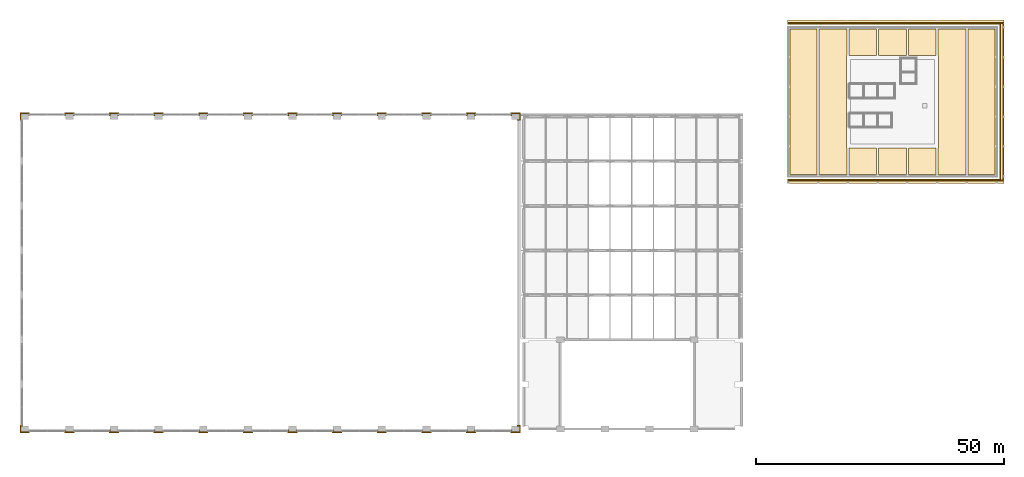
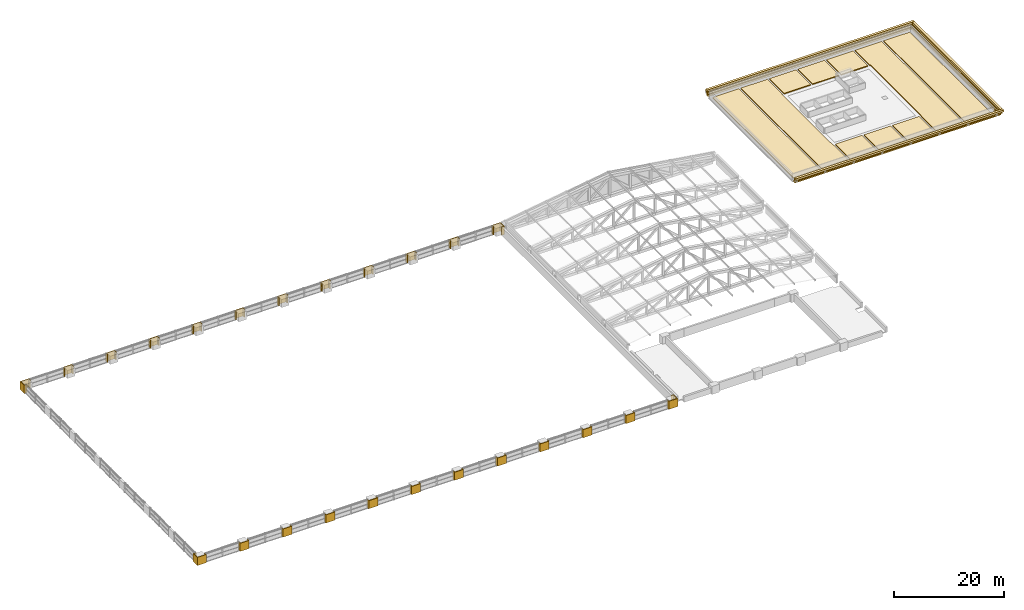
# One storey, part 31 of 32: 43 coverings.
"""IFC4 building model written with IfcOpenShell, lengths in metres."""

from ifc_helpers import new_model, si_unit, direction, frame, origin, place, context, subcontext, project, spatial, polyline, outline, extrude, material, layer, layer_set, type_object, element, save


model = new_model("IFC4")

# Units and contexts
model_context = context("Model", 3, precision=1e-05, world=origin(), true_north=direction((0.0, 1.0)))
body_context = subcontext(model_context, "Body", "Model", "MODEL_VIEW")
ifc_project = project(units=[si_unit("LENGTHUNIT", "METRE"), si_unit("AREAUNIT", "SQUARE_METRE"), si_unit("VOLUMEUNIT", "CUBIC_METRE"), si_unit("PLANEANGLEUNIT", "RADIAN"), si_unit("MASSUNIT", "GRAM", prefix="KILO")], contexts=[model_context])

# Site, building, storey
site_placement = place(None, origin())
site = spatial("IfcSite", under=ifc_project, at=site_placement, CompositionType="ELEMENT")
building_placement = place(site_placement, origin())
building = spatial("IfcBuilding", under=site, at=building_placement, Name="Aravalli Gate Trade Fair Centre", CompositionType="ELEMENT")
storey_placement = place(building_placement, frame((0.0, 0.0, 23.39990234375)))
storey = spatial("IfcBuildingStorey", under=building, at=storey_placement, Name="ROOF LEVEL 1", CompositionType="ELEMENT", Elevation=23.39990234375)

# Coverings
ifc_material_1 = material(Name="Terracotta", Category="masonry")
ifc_layer_1 = layer(ifc_material_1, 0.14990234375)
ifc_layer_set_1 = layer_set([ifc_layer_1], Name="Terracotta")
covering_type_1 = type_object("IfcCoveringType", Name="Terracotta pier casing", PredefinedType="CLADDING", material=ifc_layer_set_1)
covering_1_placement = place(storey_placement, origin())
element("IfcCovering", 1, at=covering_1_placement, inside=storey, type_object=covering_type_1, Name="Clad pier A1 ROOF LEVEL 1", PredefinedType="CLADDING", context=body_context, shape_type="SweptSolid", body=[
    extrude(outline(polyline([(5.050048828125, 46.75), (5.64990234375, 46.75), (5.64990234375, 46.60009765625), (5.199951171875, 46.60009765625), (5.199951171875, 45.39990234375), (6.800048828125, 45.39990234375), (6.800048828125, 45.85009765625), (6.949951171875, 45.85009765625), (6.949951171875, 45.25), (5.050048828125, 45.25), (5.050048828125, 46.75)])), origin(), (0.0, 0.0, 1.0), 1.800048828125),
])
covering_2_placement = place(storey_placement, origin())
element("IfcCovering", 2, at=covering_2_placement, inside=storey, type_object=covering_type_1, Name="Clad pier H1 ROOF LEVEL 1", PredefinedType="CLADDING", context=body_context, shape_type="SweptSolid", body=[
    extrude(outline(polyline([(5.050048828125, 109.75), (6.949951171875, 109.75), (6.949951171875, 109.14990234375), (6.800048828125, 109.14990234375), (6.800048828125, 109.60009765625), (5.199951171875, 109.60009765625), (5.199951171875, 108.39990234375), (5.64990234375, 108.39990234375), (5.64990234375, 108.25), (5.050048828125, 108.25), (5.050048828125, 109.75)])), origin(), (0.0, 0.0, 1.0), 1.800048828125),
])
covering_3_placement = place(storey_placement, origin())
element("IfcCovering", 3, at=covering_3_placement, inside=storey, type_object=covering_type_1, Name="Clad pier A2 ROOF LEVEL 1", PredefinedType="CLADDING", context=body_context, shape_type="SweptSolid", body=[
    extrude(outline(polyline([(14.050048828125, 45.85009765625), (14.199951171875, 45.85009765625), (14.199951171875, 45.39990234375), (15.800048828125, 45.39990234375), (15.800048828125, 45.85009765625), (15.949951171875, 45.85009765625), (15.949951171875, 45.25), (14.050048828125, 45.25), (14.050048828125, 45.85009765625)])), origin(), (0.0, 0.0, 1.0), 1.800048828125),
])
covering_4_placement = place(storey_placement, origin())
element("IfcCovering", 4, at=covering_4_placement, inside=storey, type_object=covering_type_1, Name="Clad pier H2 ROOF LEVEL 1", PredefinedType="CLADDING", context=body_context, shape_type="SweptSolid", body=[
    extrude(outline(polyline([(14.050048828125, 109.75), (15.949951171875, 109.75), (15.949951171875, 109.14990234375), (15.800048828125, 109.14990234375), (15.800048828125, 109.60009765625), (14.199951171875, 109.60009765625), (14.199951171875, 109.14990234375), (14.050048828125, 109.14990234375), (14.050048828125, 109.75)])), origin(), (0.0, 0.0, 1.0), 1.800048828125),
])
covering_5_placement = place(storey_placement, origin())
element("IfcCovering", 5, at=covering_5_placement, inside=storey, type_object=covering_type_1, Name="Clad pier A3 ROOF LEVEL 1", PredefinedType="CLADDING", context=body_context, shape_type="SweptSolid", body=[
    extrude(outline(polyline([(23.050048828125, 45.85009765625), (23.199951171875, 45.85009765625), (23.199951171875, 45.39990234375), (24.800048828125, 45.39990234375), (24.800048828125, 45.85009765625), (24.949951171875, 45.85009765625), (24.949951171875, 45.25), (23.050048828125, 45.25), (23.050048828125, 45.85009765625)])), origin(), (0.0, 0.0, 1.0), 1.800048828125),
])
covering_6_placement = place(storey_placement, origin())
element("IfcCovering", 6, at=covering_6_placement, inside=storey, type_object=covering_type_1, Name="Clad pier H3 ROOF LEVEL 1", PredefinedType="CLADDING", context=body_context, shape_type="SweptSolid", body=[
    extrude(outline(polyline([(23.050048828125, 109.75), (24.949951171875, 109.75), (24.949951171875, 109.14990234375), (24.800048828125, 109.14990234375), (24.800048828125, 109.60009765625), (23.199951171875, 109.60009765625), (23.199951171875, 109.14990234375), (23.050048828125, 109.14990234375), (23.050048828125, 109.75)])), origin(), (0.0, 0.0, 1.0), 1.800048828125),
])
covering_7_placement = place(storey_placement, origin())
element("IfcCovering", 7, at=covering_7_placement, inside=storey, type_object=covering_type_1, Name="Clad pier A4 ROOF LEVEL 1", PredefinedType="CLADDING", context=body_context, shape_type="SweptSolid", body=[
    extrude(outline(polyline([(32.050048828125, 45.85009765625), (32.199951171875, 45.85009765625), (32.199951171875, 45.39990234375), (33.800048828125, 45.39990234375), (33.800048828125, 45.85009765625), (33.949951171875, 45.85009765625), (33.949951171875, 45.25), (32.050048828125, 45.25), (32.050048828125, 45.85009765625)])), origin(), (0.0, 0.0, 1.0), 1.800048828125),
])
covering_8_placement = place(storey_placement, origin())
element("IfcCovering", 8, at=covering_8_placement, inside=storey, type_object=covering_type_1, Name="Clad pier H4 ROOF LEVEL 1", PredefinedType="CLADDING", context=body_context, shape_type="SweptSolid", body=[
    extrude(outline(polyline([(32.050048828125, 109.75), (33.949951171875, 109.75), (33.949951171875, 109.14990234375), (33.800048828125, 109.14990234375), (33.800048828125, 109.60009765625), (32.199951171875, 109.60009765625), (32.199951171875, 109.14990234375), (32.050048828125, 109.14990234375), (32.050048828125, 109.75)])), origin(), (0.0, 0.0, 1.0), 1.800048828125),
])
covering_9_placement = place(storey_placement, origin())
element("IfcCovering", 9, at=covering_9_placement, inside=storey, type_object=covering_type_1, Name="Clad pier A5 ROOF LEVEL 1", PredefinedType="CLADDING", context=body_context, shape_type="SweptSolid", body=[
    extrude(outline(polyline([(41.050048828125, 45.85009765625), (41.199951171875, 45.85009765625), (41.199951171875, 45.39990234375), (42.800048828125, 45.39990234375), (42.800048828125, 45.85009765625), (42.949951171875, 45.85009765625), (42.949951171875, 45.25), (41.050048828125, 45.25), (41.050048828125, 45.85009765625)])), origin(), (0.0, 0.0, 1.0), 1.800048828125),
])
covering_10_placement = place(storey_placement, origin())
element("IfcCovering", 10, at=covering_10_placement, inside=storey, type_object=covering_type_1, Name="Clad pier H5 ROOF LEVEL 1", PredefinedType="CLADDING", context=body_context, shape_type="SweptSolid", body=[
    extrude(outline(polyline([(41.050048828125, 109.75), (42.949951171875, 109.75), (42.949951171875, 109.14990234375), (42.800048828125, 109.14990234375), (42.800048828125, 109.60009765625), (41.199951171875, 109.60009765625), (41.199951171875, 109.14990234375), (41.050048828125, 109.14990234375), (41.050048828125, 109.75)])), origin(), (0.0, 0.0, 1.0), 1.800048828125),
])
covering_11_placement = place(storey_placement, origin())
element("IfcCovering", 11, at=covering_11_placement, inside=storey, type_object=covering_type_1, Name="Clad pier A6 ROOF LEVEL 1", PredefinedType="CLADDING", context=body_context, shape_type="SweptSolid", body=[
    extrude(outline(polyline([(50.050048828125, 45.85009765625), (50.199951171875, 45.85009765625), (50.199951171875, 45.39990234375), (51.800048828125, 45.39990234375), (51.800048828125, 45.85009765625), (51.949951171875, 45.85009765625), (51.949951171875, 45.25), (50.050048828125, 45.25), (50.050048828125, 45.85009765625)])), origin(), (0.0, 0.0, 1.0), 1.800048828125),
])
covering_12_placement = place(storey_placement, origin())
element("IfcCovering", 12, at=covering_12_placement, inside=storey, type_object=covering_type_1, Name="Clad pier H6 ROOF LEVEL 1", PredefinedType="CLADDING", context=body_context, shape_type="SweptSolid", body=[
    extrude(outline(polyline([(50.050048828125, 109.75), (51.949951171875, 109.75), (51.949951171875, 109.14990234375), (51.800048828125, 109.14990234375), (51.800048828125, 109.60009765625), (50.199951171875, 109.60009765625), (50.199951171875, 109.14990234375), (50.050048828125, 109.14990234375), (50.050048828125, 109.75)])), origin(), (0.0, 0.0, 1.0), 1.800048828125),
])
covering_13_placement = place(storey_placement, origin())
element("IfcCovering", 13, at=covering_13_placement, inside=storey, type_object=covering_type_1, Name="Clad pier A7 ROOF LEVEL 1", PredefinedType="CLADDING", context=body_context, shape_type="SweptSolid", body=[
    extrude(outline(polyline([(59.050048828125, 45.85009765625), (59.199951171875, 45.85009765625), (59.199951171875, 45.39990234375), (60.800048828125, 45.39990234375), (60.800048828125, 45.85009765625), (60.949951171875, 45.85009765625), (60.949951171875, 45.25), (59.050048828125, 45.25), (59.050048828125, 45.85009765625)])), origin(), (0.0, 0.0, 1.0), 1.800048828125),
])
covering_14_placement = place(storey_placement, origin())
element("IfcCovering", 14, at=covering_14_placement, inside=storey, type_object=covering_type_1, Name="Clad pier H7 ROOF LEVEL 1", PredefinedType="CLADDING", context=body_context, shape_type="SweptSolid", body=[
    extrude(outline(polyline([(59.050048828125, 109.75), (60.949951171875, 109.75), (60.949951171875, 109.14990234375), (60.800048828125, 109.14990234375), (60.800048828125, 109.60009765625), (59.199951171875, 109.60009765625), (59.199951171875, 109.14990234375), (59.050048828125, 109.14990234375), (59.050048828125, 109.75)])), origin(), (0.0, 0.0, 1.0), 1.800048828125),
])
covering_15_placement = place(storey_placement, origin())
element("IfcCovering", 15, at=covering_15_placement, inside=storey, type_object=covering_type_1, Name="Clad pier A8 ROOF LEVEL 1", PredefinedType="CLADDING", context=body_context, shape_type="SweptSolid", body=[
    extrude(outline(polyline([(68.050048828125, 45.85009765625), (68.199951171875, 45.85009765625), (68.199951171875, 45.39990234375), (69.800048828125, 45.39990234375), (69.800048828125, 45.85009765625), (69.949951171875, 45.85009765625), (69.949951171875, 45.25), (68.050048828125, 45.25), (68.050048828125, 45.85009765625)])), origin(), (0.0, 0.0, 1.0), 1.800048828125),
])
covering_16_placement = place(storey_placement, origin())
element("IfcCovering", 16, at=covering_16_placement, inside=storey, type_object=covering_type_1, Name="Clad pier H8 ROOF LEVEL 1", PredefinedType="CLADDING", context=body_context, shape_type="SweptSolid", body=[
    extrude(outline(polyline([(68.050048828125, 109.75), (69.949951171875, 109.75), (69.949951171875, 109.14990234375), (69.800048828125, 109.14990234375), (69.800048828125, 109.60009765625), (68.199951171875, 109.60009765625), (68.199951171875, 109.14990234375), (68.050048828125, 109.14990234375), (68.050048828125, 109.75)])), origin(), (0.0, 0.0, 1.0), 1.800048828125),
])
covering_17_placement = place(storey_placement, origin())
element("IfcCovering", 17, at=covering_17_placement, inside=storey, type_object=covering_type_1, Name="Clad pier A9 ROOF LEVEL 1", PredefinedType="CLADDING", context=body_context, shape_type="SweptSolid", body=[
    extrude(outline(polyline([(77.050048828125, 45.85009765625), (77.199951171875, 45.85009765625), (77.199951171875, 45.39990234375), (78.800048828125, 45.39990234375), (78.800048828125, 45.85009765625), (78.949951171875, 45.85009765625), (78.949951171875, 45.25), (77.050048828125, 45.25), (77.050048828125, 45.85009765625)])), origin(), (0.0, 0.0, 1.0), 1.800048828125),
])
covering_18_placement = place(storey_placement, origin())
element("IfcCovering", 18, at=covering_18_placement, inside=storey, type_object=covering_type_1, Name="Clad pier H9 ROOF LEVEL 1", PredefinedType="CLADDING", context=body_context, shape_type="SweptSolid", body=[
    extrude(outline(polyline([(77.050048828125, 109.75), (78.949951171875, 109.75), (78.949951171875, 109.14990234375), (78.800048828125, 109.14990234375), (78.800048828125, 109.60009765625), (77.199951171875, 109.60009765625), (77.199951171875, 109.14990234375), (77.050048828125, 109.14990234375), (77.050048828125, 109.75)])), origin(), (0.0, 0.0, 1.0), 1.800048828125),
])
covering_19_placement = place(storey_placement, origin())
element("IfcCovering", 19, at=covering_19_placement, inside=storey, type_object=covering_type_1, Name="Clad pier A10 ROOF LEVEL 1", PredefinedType="CLADDING", context=body_context, shape_type="SweptSolid", body=[
    extrude(outline(polyline([(86.050048828125, 45.85009765625), (86.199951171875, 45.85009765625), (86.199951171875, 45.39990234375), (87.800048828125, 45.39990234375), (87.800048828125, 45.85009765625), (87.949951171875, 45.85009765625), (87.949951171875, 45.25), (86.050048828125, 45.25), (86.050048828125, 45.85009765625)])), origin(), (0.0, 0.0, 1.0), 1.800048828125),
])
covering_20_placement = place(storey_placement, origin())
element("IfcCovering", 20, at=covering_20_placement, inside=storey, type_object=covering_type_1, Name="Clad pier H10 ROOF LEVEL 1", PredefinedType="CLADDING", context=body_context, shape_type="SweptSolid", body=[
    extrude(outline(polyline([(86.050048828125, 109.75), (87.949951171875, 109.75), (87.949951171875, 109.14990234375), (87.800048828125, 109.14990234375), (87.800048828125, 109.60009765625), (86.199951171875, 109.60009765625), (86.199951171875, 109.14990234375), (86.050048828125, 109.14990234375), (86.050048828125, 109.75)])), origin(), (0.0, 0.0, 1.0), 1.800048828125),
])
covering_21_placement = place(storey_placement, origin())
element("IfcCovering", 21, at=covering_21_placement, inside=storey, type_object=covering_type_1, Name="Clad pier A11 ROOF LEVEL 1", PredefinedType="CLADDING", context=body_context, shape_type="SweptSolid", body=[
    extrude(outline(polyline([(95.050048828125, 45.85009765625), (95.199951171875, 45.85009765625), (95.199951171875, 45.39990234375), (96.800048828125, 45.39990234375), (96.800048828125, 45.85009765625), (96.949951171875, 45.85009765625), (96.949951171875, 45.25), (95.050048828125, 45.25), (95.050048828125, 45.85009765625)])), origin(), (0.0, 0.0, 1.0), 1.800048828125),
])
covering_22_placement = place(storey_placement, origin())
element("IfcCovering", 22, at=covering_22_placement, inside=storey, type_object=covering_type_1, Name="Clad pier H11 ROOF LEVEL 1", PredefinedType="CLADDING", context=body_context, shape_type="SweptSolid", body=[
    extrude(outline(polyline([(95.050048828125, 109.75), (96.949951171875, 109.75), (96.949951171875, 109.14990234375), (96.800048828125, 109.14990234375), (96.800048828125, 109.60009765625), (95.199951171875, 109.60009765625), (95.199951171875, 109.14990234375), (95.050048828125, 109.14990234375), (95.050048828125, 109.75)])), origin(), (0.0, 0.0, 1.0), 1.800048828125),
])
covering_23_placement = place(storey_placement, origin())
element("IfcCovering", 23, at=covering_23_placement, inside=storey, type_object=covering_type_1, Name="Clad pier A12 ROOF LEVEL 1", PredefinedType="CLADDING", context=body_context, shape_type="SweptSolid", body=[
    extrude(outline(polyline([(104.050048828125, 45.85009765625), (104.199951171875, 45.85009765625), (104.199951171875, 45.39990234375), (105.800048828125, 45.39990234375), (105.800048828125, 46.60009765625), (105.35009765625, 46.60009765625), (105.35009765625, 46.75), (105.949951171875, 46.75), (105.949951171875, 45.25), (104.050048828125, 45.25), (104.050048828125, 45.85009765625)])), origin(), (0.0, 0.0, 1.0), 1.800048828125),
])
covering_24_placement = place(storey_placement, origin())
element("IfcCovering", 24, at=covering_24_placement, inside=storey, type_object=covering_type_1, Name="Clad pier H12 ROOF LEVEL 1", PredefinedType="CLADDING", context=body_context, shape_type="SweptSolid", body=[
    extrude(outline(polyline([(104.050048828125, 109.75), (105.949951171875, 109.75), (105.949951171875, 108.25), (105.35009765625, 108.25), (105.35009765625, 108.39990234375), (105.800048828125, 108.39990234375), (105.800048828125, 109.60009765625), (104.199951171875, 109.60009765625), (104.199951171875, 109.14990234375), (104.050048828125, 109.14990234375), (104.050048828125, 109.75)])), origin(), (0.0, 0.0, 1.0), 1.800048828125),
])
ifc_material_2 = material(Name="Enamelled terracotta", Category="masonry")
ifc_layer_2 = layer(ifc_material_2, 0.39990234375)
ifc_layer_set_2 = layer_set([ifc_layer_2], Name="Enamelled terracotta")
covering_type_2 = type_object("IfcCoveringType", Name="Wing cornice course B", PredefinedType="MOLDING", material=ifc_layer_set_2)
covering_25_placement = place(storey_placement, origin())
element("IfcCovering", 25, at=covering_25_placement, inside=storey, type_object=covering_type_2, Name="Cornice course B S", PredefinedType="MOLDING", context=body_context, shape_type="SweptSolid", body=[
    extrude(outline(polyline([(159.800048828125, 95.925048828125), (203.074951171875, 95.925048828125), (203.074951171875, 96.425048828125), (159.800048828125, 96.425048828125), (159.800048828125, 95.925048828125)])), origin(), (0.0, 0.0, 1.0), 0.400146484375),
])
covering_26_placement = place(storey_placement, origin())
element("IfcCovering", 26, at=covering_26_placement, inside=storey, type_object=covering_type_2, Name="Cornice course B N", PredefinedType="MOLDING", context=body_context, shape_type="SweptSolid", body=[
    extrude(outline(polyline([(159.800048828125, 127.574951171875), (203.074951171875, 127.574951171875), (203.074951171875, 128.074951171875), (159.800048828125, 128.074951171875), (159.800048828125, 127.574951171875)])), origin(), (0.0, 0.0, 1.0), 0.400146484375),
])
covering_27_placement = place(storey_placement, origin())
element("IfcCovering", 27, at=covering_27_placement, inside=storey, type_object=covering_type_2, Name="Cornice course B E", PredefinedType="MOLDING", context=body_context, shape_type="SweptSolid", body=[
    extrude(outline(polyline([(202.574951171875, 96.425048828125), (203.074951171875, 96.425048828125), (203.074951171875, 127.574951171875), (202.574951171875, 127.574951171875), (202.574951171875, 96.425048828125)])), origin(), (0.0, 0.0, 1.0), 0.400146484375),
])
ifc_layer_3 = layer(ifc_material_2, 0.39990234375)
ifc_layer_set_3 = layer_set([ifc_layer_3], Name="Enamelled terracotta")
covering_type_3 = type_object("IfcCoveringType", Name="Wing cornice course C", PredefinedType="MOLDING", material=ifc_layer_set_3)
covering_28_placement = place(storey_placement, frame((0.0, 0.0, 0.400146484375)))
element("IfcCovering", 28, at=covering_28_placement, inside=storey, type_object=covering_type_3, Name="Cornice course C S", PredefinedType="MOLDING", context=body_context, shape_type="SweptSolid", body=[
    extrude(outline(polyline([(159.800048828125, 95.72509765625), (203.27490234375, 95.72509765625), (203.27490234375, 96.22509765625), (159.800048828125, 96.22509765625), (159.800048828125, 95.72509765625)])), origin(), (0.0, 0.0, 1.0), 0.39990234375),
])
covering_29_placement = place(storey_placement, frame((0.0, 0.0, 0.400146484375)))
element("IfcCovering", 29, at=covering_29_placement, inside=storey, type_object=covering_type_3, Name="Cornice course C N", PredefinedType="MOLDING", context=body_context, shape_type="SweptSolid", body=[
    extrude(outline(polyline([(159.800048828125, 127.77490234375), (203.27490234375, 127.77490234375), (203.27490234375, 128.27490234375), (159.800048828125, 128.27490234375), (159.800048828125, 127.77490234375)])), origin(), (0.0, 0.0, 1.0), 0.39990234375),
])
covering_30_placement = place(storey_placement, frame((0.0, 0.0, 0.400146484375)))
element("IfcCovering", 30, at=covering_30_placement, inside=storey, type_object=covering_type_3, Name="Cornice course C E", PredefinedType="MOLDING", context=body_context, shape_type="SweptSolid", body=[
    extrude(outline(polyline([(202.77490234375, 96.22509765625), (203.27490234375, 96.22509765625), (203.27490234375, 127.77490234375), (202.77490234375, 127.77490234375), (202.77490234375, 96.22509765625)])), origin(), (0.0, 0.0, 1.0), 0.39990234375),
])
ifc_layer_4 = layer(ifc_material_2, 0.39990234375)
ifc_layer_set_4 = layer_set([ifc_layer_4], Name="Enamelled terracotta")
covering_type_4 = type_object("IfcCoveringType", Name="Wing cornice course D", PredefinedType="MOLDING", material=ifc_layer_set_4)
covering_31_placement = place(storey_placement, frame((0.0, 0.0, 0.800048828125)))
element("IfcCovering", 31, at=covering_31_placement, inside=storey, type_object=covering_type_4, Name="Cornice course D S", PredefinedType="MOLDING", context=body_context, shape_type="SweptSolid", body=[
    extrude(outline(polyline([(159.800048828125, 95.52490234375), (203.47509765625, 95.52490234375), (203.47509765625, 96.02490234375), (159.800048828125, 96.02490234375), (159.800048828125, 95.52490234375)])), origin(), (0.0, 0.0, 1.0), 0.400146484375),
])
covering_32_placement = place(storey_placement, frame((0.0, 0.0, 0.800048828125)))
element("IfcCovering", 32, at=covering_32_placement, inside=storey, type_object=covering_type_4, Name="Cornice course D N", PredefinedType="MOLDING", context=body_context, shape_type="SweptSolid", body=[
    extrude(outline(polyline([(159.800048828125, 127.97509765625), (203.47509765625, 127.97509765625), (203.47509765625, 128.47509765625), (159.800048828125, 128.47509765625), (159.800048828125, 127.97509765625)])), origin(), (0.0, 0.0, 1.0), 0.400146484375),
])
covering_33_placement = place(storey_placement, frame((0.0, 0.0, 0.800048828125)))
element("IfcCovering", 33, at=covering_33_placement, inside=storey, type_object=covering_type_4, Name="Cornice course D E", PredefinedType="MOLDING", context=body_context, shape_type="SweptSolid", body=[
    extrude(outline(polyline([(202.97509765625, 96.02490234375), (203.47509765625, 96.02490234375), (203.47509765625, 127.97509765625), (202.97509765625, 127.97509765625), (202.97509765625, 96.02490234375)])), origin(), (0.0, 0.0, 1.0), 0.400146484375),
])
ifc_material_3 = material(Name="Bituminous waterproofing membrane")
ifc_layer_5 = layer(ifc_material_3, 0.010009765625, Name="Waterproofing membrane")
ifc_material_4 = material(Name="Polyethylene drainage board")
ifc_layer_6 = layer(ifc_material_4, 0.050048828125, Name="Drainage layer")
ifc_material_5 = material(Name="Geotextile fleece")
ifc_layer_7 = layer(ifc_material_5, 0.0048828125, Name="Filter layer")
ifc_material_6 = material(Name="Growing medium")
ifc_layer_8 = layer(ifc_material_6, 0.14990234375, Name="Growing medium")
ifc_layer_set_5 = layer_set([ifc_layer_5, ifc_layer_6, ifc_layer_7, ifc_layer_8], Name="Wing green roof build-up 215")
covering_type_5 = type_object("IfcCoveringType", Name="Wing green roof build-up 215", PredefinedType="ROOFING", material=ifc_layer_set_5)
covering_34_placement = place(storey_placement, origin())
element("IfcCovering", 34, at=covering_34_placement, inside=storey, type_object=covering_type_5, Name="Planted roof 1", PredefinedType="ROOFING", context=body_context, shape_type="SweptSolid", body=[
    extrude(outline(polyline([(160.294921875, 126.705078125), (165.800048828125, 126.705078125), (165.800048828125, 97.294921875), (160.294921875, 97.294921875), (160.294921875, 126.705078125)])), origin(), (0.0, 0.0, 1.0), 0.215087890625),
])
covering_35_placement = place(storey_placement, origin())
element("IfcCovering", 35, at=covering_35_placement, inside=storey, type_object=covering_type_5, Name="Planted roof 2", PredefinedType="ROOFING", context=body_context, shape_type="SweptSolid", body=[
    extrude(outline(polyline([(171.800048828125, 126.705078125), (171.800048828125, 121.300048828125), (171.699951171875, 121.300048828125), (171.699951171875, 102.699951171875), (171.800048828125, 102.699951171875), (171.800048828125, 97.294921875), (166.199951171875, 97.294921875), (166.199951171875, 126.705078125), (171.800048828125, 126.705078125)])), origin(), (0.0, 0.0, 1.0), 0.215087890625),
])
covering_36_placement = place(storey_placement, origin())
element("IfcCovering", 36, at=covering_36_placement, inside=storey, type_object=covering_type_5, Name="Planted roof 3", PredefinedType="ROOFING", context=body_context, shape_type="SweptSolid", body=[
    extrude(outline(polyline([(177.800048828125, 126.705078125), (177.800048828125, 121.300048828125), (172.199951171875, 121.300048828125), (172.199951171875, 126.705078125), (177.800048828125, 126.705078125)])), origin(), (0.0, 0.0, 1.0), 0.215087890625),
])
covering_37_placement = place(storey_placement, origin())
element("IfcCovering", 37, at=covering_37_placement, inside=storey, type_object=covering_type_5, Name="Planted roof 4", PredefinedType="ROOFING", context=body_context, shape_type="SweptSolid", body=[
    extrude(outline(polyline([(172.199951171875, 97.294921875), (172.199951171875, 102.699951171875), (177.800048828125, 102.699951171875), (177.800048828125, 97.294921875), (172.199951171875, 97.294921875)])), origin(), (0.0, 0.0, 1.0), 0.215087890625),
])
covering_38_placement = place(storey_placement, origin())
element("IfcCovering", 38, at=covering_38_placement, inside=storey, type_object=covering_type_5, Name="Planted roof 5", PredefinedType="ROOFING", context=body_context, shape_type="SweptSolid", body=[
    extrude(outline(polyline([(183.800048828125, 126.705078125), (183.800048828125, 121.300048828125), (178.199951171875, 121.300048828125), (178.199951171875, 126.705078125), (183.800048828125, 126.705078125)])), origin(), (0.0, 0.0, 1.0), 0.215087890625),
])
covering_39_placement = place(storey_placement, origin())
element("IfcCovering", 39, at=covering_39_placement, inside=storey, type_object=covering_type_5, Name="Planted roof 6", PredefinedType="ROOFING", context=body_context, shape_type="SweptSolid", body=[
    extrude(outline(polyline([(178.199951171875, 97.294921875), (178.199951171875, 102.699951171875), (183.800048828125, 102.699951171875), (183.800048828125, 97.294921875), (178.199951171875, 97.294921875)])), origin(), (0.0, 0.0, 1.0), 0.215087890625),
])
covering_40_placement = place(storey_placement, origin())
element("IfcCovering", 40, at=covering_40_placement, inside=storey, type_object=covering_type_5, Name="Planted roof 7", PredefinedType="ROOFING", context=body_context, shape_type="SweptSolid", body=[
    extrude(outline(polyline([(189.800048828125, 126.705078125), (189.800048828125, 121.300048828125), (184.199951171875, 121.300048828125), (184.199951171875, 126.705078125), (189.800048828125, 126.705078125)])), origin(), (0.0, 0.0, 1.0), 0.215087890625),
])
covering_41_placement = place(storey_placement, origin())
element("IfcCovering", 41, at=covering_41_placement, inside=storey, type_object=covering_type_5, Name="Planted roof 8", PredefinedType="ROOFING", context=body_context, shape_type="SweptSolid", body=[
    extrude(outline(polyline([(184.199951171875, 97.294921875), (184.199951171875, 102.699951171875), (189.800048828125, 102.699951171875), (189.800048828125, 97.294921875), (184.199951171875, 97.294921875)])), origin(), (0.0, 0.0, 1.0), 0.215087890625),
])
covering_42_placement = place(storey_placement, origin())
element("IfcCovering", 42, at=covering_42_placement, inside=storey, type_object=covering_type_5, Name="Planted roof 9", PredefinedType="ROOFING", context=body_context, shape_type="SweptSolid", body=[
    extrude(outline(polyline([(195.800048828125, 126.705078125), (195.800048828125, 97.294921875), (190.199951171875, 97.294921875), (190.199951171875, 102.699951171875), (190.300048828125, 102.699951171875), (190.300048828125, 121.300048828125), (190.199951171875, 121.300048828125), (190.199951171875, 126.705078125), (195.800048828125, 126.705078125)])), origin(), (0.0, 0.0, 1.0), 0.215087890625),
])
covering_43_placement = place(storey_placement, origin())
element("IfcCovering", 43, at=covering_43_placement, inside=storey, type_object=covering_type_5, Name="Planted roof 10", PredefinedType="ROOFING", context=body_context, shape_type="SweptSolid", body=[
    extrude(outline(polyline([(201.705078125, 126.705078125), (201.705078125, 97.294921875), (196.199951171875, 97.294921875), (196.199951171875, 126.705078125), (201.705078125, 126.705078125)])), origin(), (0.0, 0.0, 1.0), 0.215087890625),
])

save(model, "model.ifc")
